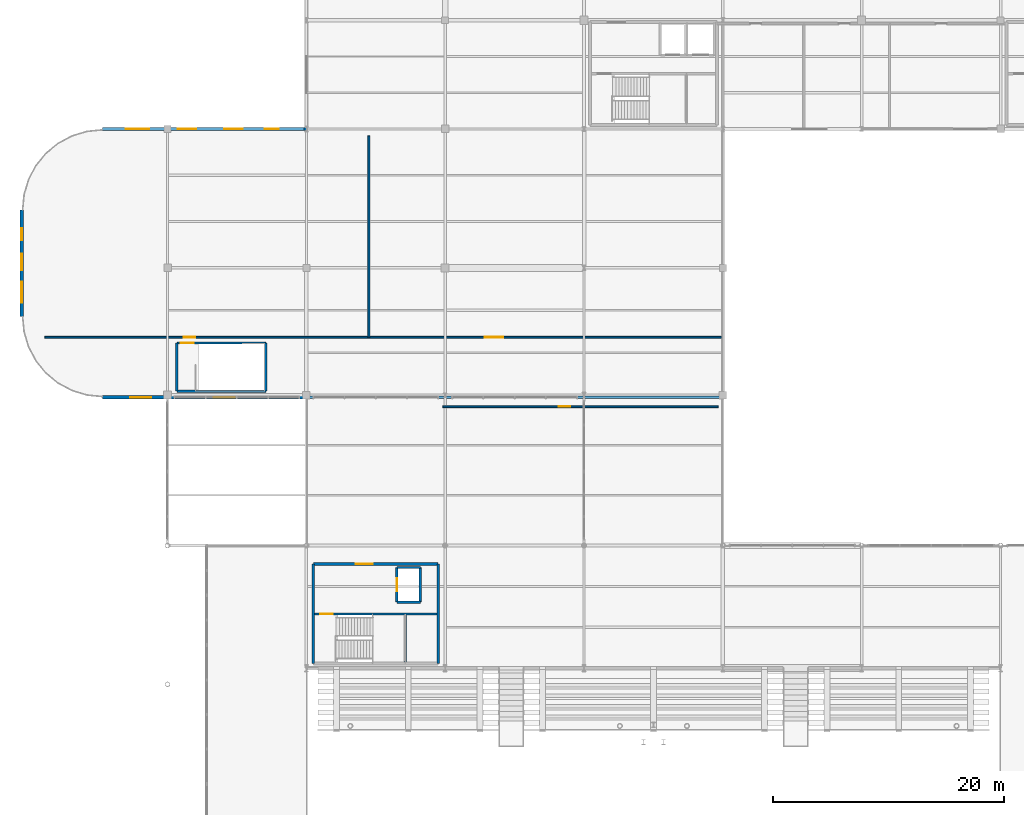
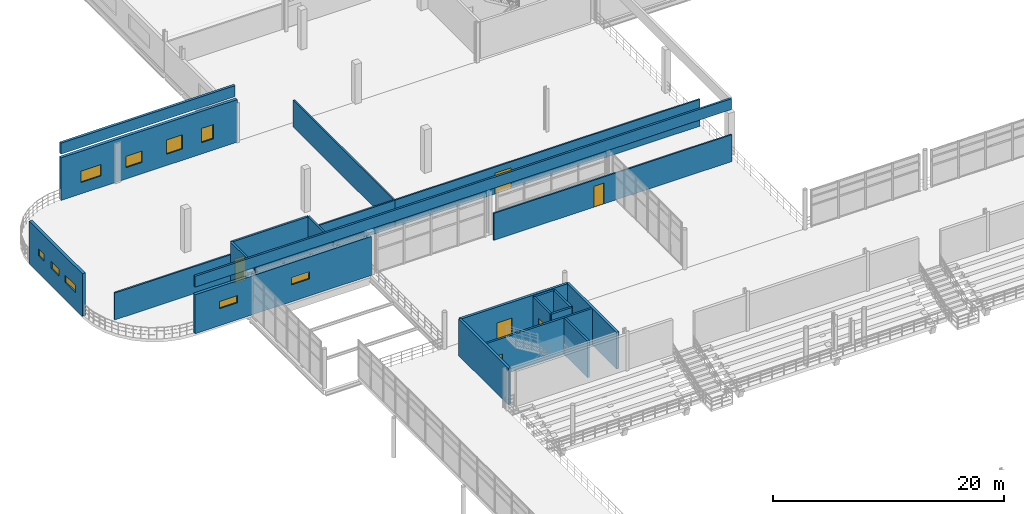
# One storey, part 66 of 89: 22 walls, 9 windows, 7 doors, 16 openings.
"""IFC4 building model written with IfcOpenShell, lengths in metres."""

from ifc_helpers import new_model, si_unit, direction, frame, frame_2d, origin, place, context, subcontext, project, spatial, rectangle, extrude, material, layer, layer_set, type_object, element, fill, save


model = new_model("IFC4")

# Units and contexts
model_context = context("Model", 3, precision=1e-05, world=origin(), true_north=direction((0.0, 1.0)))
body_context = subcontext(model_context, "Body", "Model", "MODEL_VIEW")
ifc_project = project(units=[si_unit("LENGTHUNIT", "METRE"), si_unit("AREAUNIT", "SQUARE_METRE"), si_unit("VOLUMEUNIT", "CUBIC_METRE"), si_unit("PLANEANGLEUNIT", "RADIAN"), si_unit("MASSUNIT", "GRAM", prefix="KILO"), si_unit("THERMODYNAMICTEMPERATUREUNIT", "KELVIN"), si_unit("POWERUNIT", "WATT")], contexts=[model_context])

# Site, building, storey
site_placement = place(None, origin())
site = spatial("IfcSite", under=ifc_project, at=site_placement, CompositionType="ELEMENT")
building_placement = place(site_placement, origin())
building = spatial("IfcBuilding", under=site, at=building_placement, Name="Solmara Park Aquatics Centre", CompositionType="ELEMENT")
storey_placement = place(building_placement, frame((0.0, 0.0, 5.39990234375)))
storey = spatial("IfcBuildingStorey", under=building, at=storey_placement, Name="L01", CompositionType="ELEMENT", Elevation=5.39990234375)

# Wall, opening, door
ifc_material_1 = material(Name="Concrete C40/50", Category="concrete")
ifc_layer_1 = layer(ifc_material_1, 0.25, Name="Concrete C40/50")
ifc_layer_set_1 = layer_set([ifc_layer_1], Name="Concrete C40/50")
wall_type_1 = type_object("IfcWallType", Name="ARC-WL-CORE250", PredefinedType="SHEAR", material=ifc_layer_set_1)
wall_1_placement = place(storey_placement, frame((25.199951171875, 71.0, 0.0), z_axis=(0.0, 0.0, 1.0), x_axis=(1.0, 0.0, 0.0)))
wall_1 = element("IfcWall", 1, at=wall_1_placement, inside=storey, type_object=wall_type_1, Name="CORE-4 Core Wall N L01", PredefinedType="SHEAR", context=body_context, shape_type="SweptSolid", body=[
    extrude(rectangle(XDim=10.800048828125, YDim=0.25, at=frame_2d((5.39990234375, 0.0))), origin(), (0.0, 0.0, 1.0), 3.880126953125),
])
opening_1_placement = place(wall_1_placement, frame((3.64990234375, 0.0, 0.0)))
opening_1 = element("IfcOpeningElement", 2, at=opening_1_placement, cuts=wall_1, Name="Opening D-12", PredefinedType="OPENING", context=body_context, shape_type="SweptSolid", body=[
    extrude(rectangle(XDim=1.5, YDim=2.199951171875, at=frame_2d((0.75, 1.10009765625))), frame((0.0, 0.135009765625, 0.0), z_axis=(0.0, -1.0, 0.0), x_axis=(1.0, 0.0, 0.0)), (0.0, 0.0, 1.0), 0.27001953125),
])
ifc_material_2 = material(Name="Moisture-Resistant HPL & Hardwood", Category="wood")
door_type_1 = type_object("IfcDoorType", Name="ARC-DR-FD150x220", OperationType="DOUBLE_DOOR_SINGLE_SWING", PredefinedType="DOOR", material=ifc_material_2)
door_1_placement = place(opening_1_placement, origin())
door_1 = element("IfcDoor", 3, at=door_1_placement, inside=storey, type_object=door_type_1, Name="CORE-4 Lobby Entry Fire Door L01", OperationType="DOUBLE_DOOR_SINGLE_SWING", OverallHeight=2.199951171875, OverallWidth=1.5, PredefinedType="DOOR", context=body_context, shape_type="SweptSolid", body=[
    extrude(rectangle(XDim=1.5, YDim=2.199951171875, at=frame_2d((0.75, 1.10009765625))), frame((0.0, 0.02490234375, 0.0), z_axis=(0.0, -1.0, 0.0), x_axis=(1.0, 0.0, 0.0)), (0.0, 0.0, 1.0), 0.050048828125),
])
fill(opening_1, door_1)

# Walls
for number, where, z_axis, x_axis, name in (
    (4, (25.199951171875, 62.39990234375, 0.0), (0.0, 0.0, 1.0), (0.0, 1.0, 0.0), "CORE-4 Core Wall W L01"),
    (5, (36.0, 62.39990234375, 0.0), (0.0, 0.0, 1.0), (0.0, 1.0, 0.0), "CORE-4 Core Wall E L01"),
):
    element("IfcWall", number, at=place(storey_placement, frame(where, z_axis=z_axis, x_axis=x_axis)), inside=storey, type_object=wall_type_1, Name=name, PredefinedType="SHEAR", context=body_context, shape_type="SweptSolid", body=[
        extrude(rectangle(XDim=8.60009765625, YDim=0.25, at=frame_2d((4.300048828125, 0.0))), origin(), (0.0, 0.0, 1.0), 3.880126953125),
    ])

# Wall, openings, windows
ifc_material_3 = material(Name="Insulated Limestone Render Wall", Category="masonry")
ifc_layer_2 = layer(ifc_material_3, 0.300048828125, Name="Insulated Limestone Render Wall")
ifc_layer_set_2 = layer_set([ifc_layer_2], Name="Insulated Limestone Render Wall")
wall_type_2 = type_object("IfcWallType", Name="ARC-WL-EXT300", PredefinedType="SOLIDWALL", material=ifc_layer_set_2)
wall_2_placement = place(storey_placement, frame((7.0, 85.39990234375, 0.0), z_axis=(0.0, 0.0, 1.0), x_axis=(1.0, 0.0, 0.0)))
wall_2 = element("IfcWall", 6, at=wall_2_placement, inside=storey, type_object=wall_type_2, Name="Exterior Facade Wall EW-L01-012", PredefinedType="SOLIDWALL", context=body_context, shape_type="SweptSolid", body=[
    extrude(rectangle(XDim=17.60009765625, YDim=0.300048828125, at=frame_2d((8.800048828125, 0.0))), origin(), (0.0, 0.0, 1.0), 4.110107421875),
])
opening_2_placement = place(wall_2_placement, frame((2.39990234375, 0.0, 1.800048828125)))
opening_2 = element("IfcOpeningElement", 7, at=opening_2_placement, cuts=wall_2, Name="Opening W-30", PredefinedType="OPENING", context=body_context, shape_type="SweptSolid", body=[
    extrude(rectangle(XDim=1.800048828125, YDim=0.75, at=frame_2d((0.89990234375, 0.375))), frame((0.0, 0.159912109375, 0.0), z_axis=(0.0, -1.0, 0.0), x_axis=(1.0, 0.0, 0.0)), (0.0, 0.0, 1.0), 0.320068359375),
])
opening_3_placement = place(wall_2_placement, frame((9.60009765625, 0.0, 1.800048828125)))
opening_3 = element("IfcOpeningElement", 8, at=opening_3_placement, cuts=wall_2, Name="Opening W-30", PredefinedType="OPENING", context=body_context, shape_type="SweptSolid", body=[
    extrude(rectangle(XDim=1.800048828125, YDim=0.75, at=frame_2d((0.89990234375, 0.375))), frame((0.0, 0.159912109375, 0.0), z_axis=(0.0, -1.0, 0.0), x_axis=(1.0, 0.0, 0.0)), (0.0, 0.0, 1.0), 0.320068359375),
])
ifc_material_4 = material(Name="Thermally Broken Aluminium and Low-E Double Glazing", Category="aluminium")
window_type_1 = type_object("IfcWindowType", Name="ARC-WN-180x075", PartitioningType="SINGLE_PANEL", PredefinedType="WINDOW", material=ifc_material_4)
window_1_placement = place(opening_2_placement, frame((1.800048828125, 0.0, 0.0), z_axis=(0.0, 0.0, 1.0), x_axis=(-1.0, 0.0, 0.0)))
window_1 = element("IfcWindow", 9, at=window_1_placement, inside=storey, type_object=window_type_1, Name="Ribbon Window WN-026", OverallHeight=0.75, OverallWidth=1.800048828125, PartitioningType="SINGLE_PANEL", PredefinedType="WINDOW", context=body_context, shape_type="SweptSolid", body=[
    extrude(rectangle(XDim=1.800048828125, YDim=0.75, at=frame_2d((0.89990234375, 0.375))), frame((0.0, 0.030029296875, 0.0), z_axis=(0.0, -1.0, 0.0), x_axis=(1.0, 0.0, 0.0)), (0.0, 0.0, 1.0), 0.06005859375),
])
fill(opening_2, window_1)
window_2_placement = place(opening_3_placement, frame((1.800048828125, 0.0, 0.0), z_axis=(0.0, 0.0, 1.0), x_axis=(-1.0, 0.0, 0.0)))
window_2 = element("IfcWindow", 10, at=window_2_placement, inside=storey, type_object=window_type_1, Name="Ribbon Window WN-027", OverallHeight=0.75, OverallWidth=1.800048828125, PartitioningType="SINGLE_PANEL", PredefinedType="WINDOW", context=body_context, shape_type="SweptSolid", body=[
    extrude(rectangle(XDim=1.800048828125, YDim=0.75, at=frame_2d((0.89990234375, 0.375))), frame((0.0, 0.030029296875, 0.0), z_axis=(0.0, -1.0, 0.0), x_axis=(1.0, 0.0, 0.0)), (0.0, 0.0, 1.0), 0.06005859375),
])
fill(opening_3, window_2)

wall_3_placement = place(storey_placement, frame((0.0, 92.39990234375, 0.0), z_axis=(0.0, 0.0, 1.0), x_axis=(0.0, 1.0, 0.0)))
wall_3 = element("IfcWall", 11, at=wall_3_placement, inside=storey, type_object=wall_type_2, Name="Exterior Facade Wall EW-L01-014", PredefinedType="SOLIDWALL", context=body_context, shape_type="SweptSolid", body=[
    extrude(rectangle(XDim=9.2001953125, YDim=0.300048828125, at=frame_2d((4.60009765625, 0.0))), origin(), (0.0, 0.0, 1.0), 4.5),
])
opening_4_placement = place(wall_3_placement, frame((1.199951171875, 0.0, 1.800048828125)))
opening_4 = element("IfcOpeningElement", 12, at=opening_4_placement, cuts=wall_3, Name="Opening W-30", PredefinedType="OPENING", context=body_context, shape_type="SweptSolid", body=[
    extrude(rectangle(XDim=1.800048828125, YDim=0.75, at=frame_2d((0.89990234375, 0.375))), frame((0.0, 0.159912109375, 0.0), z_axis=(0.0, -1.0, 0.0), x_axis=(1.0, 0.0, 0.0)), (0.0, 0.0, 1.0), 0.320068359375),
])
opening_5_placement = place(wall_3_placement, frame((4.0, 0.0, 1.800048828125)))
opening_5 = element("IfcOpeningElement", 13, at=opening_5_placement, cuts=wall_3, Name="Opening W-31", PredefinedType="OPENING", context=body_context, shape_type="SweptSolid", body=[
    extrude(rectangle(XDim=1.39990234375, YDim=0.75, at=frame_2d((0.699951171875, 0.375))), frame((0.0, 0.159912109375, 0.0), z_axis=(0.0, -1.0, 0.0), x_axis=(1.0, 0.0, 0.0)), (0.0, 0.0, 1.0), 0.320068359375),
])
opening_6_placement = place(wall_3_placement, frame((6.60009765625, 0.0, 1.800048828125)))
opening_6 = element("IfcOpeningElement", 14, at=opening_6_placement, cuts=wall_3, Name="Opening W-32", PredefinedType="OPENING", context=body_context, shape_type="SweptSolid", body=[
    extrude(rectangle(XDim=1.0, YDim=0.75, at=frame_2d((0.5, 0.375))), frame((0.0, 0.159912109375, 0.0), z_axis=(0.0, -1.0, 0.0), x_axis=(1.0, 0.0, 0.0)), (0.0, 0.0, 1.0), 0.320068359375),
])
window_type_2 = type_object("IfcWindowType", Name="ARC-WN-100x075", PartitioningType="SINGLE_PANEL", PredefinedType="WINDOW", material=ifc_material_4)
window_3_placement = place(opening_6_placement, origin())
window_3 = element("IfcWindow", 15, at=window_3_placement, inside=storey, type_object=window_type_2, Name="Ribbon Window WN-032", OverallHeight=0.75, OverallWidth=1.0, PartitioningType="SINGLE_PANEL", PredefinedType="WINDOW", context=body_context, shape_type="SweptSolid", body=[
    extrude(rectangle(XDim=1.0, YDim=0.75, at=frame_2d((0.5, 0.375))), frame((0.0, 0.030029296875, 0.0), z_axis=(0.0, -1.0, 0.0), x_axis=(1.0, 0.0, 0.0)), (0.0, 0.0, 1.0), 0.06005859375),
])
fill(opening_6, window_3)
window_type_3 = type_object("IfcWindowType", Name="ARC-WN-140x075", PartitioningType="SINGLE_PANEL", PredefinedType="WINDOW", material=ifc_material_4)
window_4_placement = place(opening_5_placement, origin())
window_4 = element("IfcWindow", 16, at=window_4_placement, inside=storey, type_object=window_type_3, Name="Ribbon Window WN-031", OverallHeight=0.75, OverallWidth=1.39990234375, PartitioningType="SINGLE_PANEL", PredefinedType="WINDOW", context=body_context, shape_type="SweptSolid", body=[
    extrude(rectangle(XDim=1.39990234375, YDim=0.75, at=frame_2d((0.699951171875, 0.375))), frame((0.0, 0.030029296875, 0.0), z_axis=(0.0, -1.0, 0.0), x_axis=(1.0, 0.0, 0.0)), (0.0, 0.0, 1.0), 0.06005859375),
])
fill(opening_5, window_4)
window_5_placement = place(opening_4_placement, origin())
window_5 = element("IfcWindow", 17, at=window_5_placement, inside=storey, type_object=window_type_1, Name="Ribbon Window WN-030", OverallHeight=0.75, OverallWidth=1.800048828125, PartitioningType="SINGLE_PANEL", PredefinedType="WINDOW", context=body_context, shape_type="SweptSolid", body=[
    extrude(rectangle(XDim=1.800048828125, YDim=0.75, at=frame_2d((0.89990234375, 0.375))), frame((0.0, 0.030029296875, 0.0), z_axis=(0.0, -1.0, 0.0), x_axis=(1.0, 0.0, 0.0)), (0.0, 0.0, 1.0), 0.06005859375),
])
fill(opening_4, window_5)

wall_4_placement = place(storey_placement, frame((7.0, 108.60009765625, 0.0), z_axis=(0.0, 0.0, 1.0), x_axis=(1.0, 0.0, 0.0)))
wall_4 = element("IfcWall", 18, at=wall_4_placement, inside=storey, type_object=wall_type_2, Name="Exterior Facade Wall EW-L01-016", PredefinedType="SOLIDWALL", context=body_context, shape_type="SweptSolid", body=[
    extrude(rectangle(XDim=17.60009765625, YDim=0.300048828125, at=frame_2d((8.800048828125, 0.0))), origin(), (0.0, 0.0, 1.0), 4.5),
])
opening_7_placement = place(wall_4_placement, frame((2.0, 0.0, 1.199951171875)))
opening_7 = element("IfcOpeningElement", 19, at=opening_7_placement, cuts=wall_4, Name="Opening W-07", PredefinedType="OPENING", context=body_context, shape_type="SweptSolid", body=[
    extrude(rectangle(XDim=2.0, YDim=1.199951171875, at=frame_2d((1.0, 0.60009765625))), frame((0.0, 0.159912109375, 0.0), z_axis=(0.0, -1.0, 0.0), x_axis=(1.0, 0.0, 0.0)), (0.0, 0.0, 1.0), 0.320068359375),
])
opening_8_placement = place(wall_4_placement, frame((6.5, 0.0, 1.199951171875)))
opening_8 = element("IfcOpeningElement", 20, at=opening_8_placement, cuts=wall_4, Name="Opening W-08", PredefinedType="OPENING", context=body_context, shape_type="SweptSolid", body=[
    extrude(rectangle(XDim=1.60009765625, YDim=1.199951171875, at=frame_2d((0.800048828125, 0.60009765625))), frame((0.0, 0.159912109375, 0.0), z_axis=(0.0, -1.0, 0.0), x_axis=(1.0, 0.0, 0.0)), (0.0, 0.0, 1.0), 0.320068359375),
])
opening_9_placement = place(wall_4_placement, frame((10.5, 0.0, 1.199951171875)))
opening_9 = element("IfcOpeningElement", 21, at=opening_9_placement, cuts=wall_4, Name="Opening W-18", PredefinedType="OPENING", context=body_context, shape_type="SweptSolid", body=[
    extrude(rectangle(XDim=1.60009765625, YDim=1.5, at=frame_2d((0.800048828125, 0.75))), frame((0.0, 0.159912109375, 0.0), z_axis=(0.0, -1.0, 0.0), x_axis=(1.0, 0.0, 0.0)), (0.0, 0.0, 1.0), 0.320068359375),
])
opening_10_placement = place(wall_4_placement, frame((14.0, 0.0, 1.199951171875)))
opening_10 = element("IfcOpeningElement", 22, at=opening_10_placement, cuts=wall_4, Name="Opening W-19", PredefinedType="OPENING", context=body_context, shape_type="SweptSolid", body=[
    extrude(rectangle(XDim=1.199951171875, YDim=1.5, at=frame_2d((0.60009765625, 0.75))), frame((0.0, 0.159912109375, 0.0), z_axis=(0.0, -1.0, 0.0), x_axis=(1.0, 0.0, 0.0)), (0.0, 0.0, 1.0), 0.320068359375),
])
window_type_4 = type_object("IfcWindowType", Name="ARC-WN-120x150", PartitioningType="SINGLE_PANEL", PredefinedType="WINDOW", material=ifc_material_4)
window_6_placement = place(opening_10_placement, origin())
window_6 = element("IfcWindow", 23, at=window_6_placement, inside=storey, type_object=window_type_4, Name="Ribbon Window WN-040", OverallHeight=1.5, OverallWidth=1.199951171875, PartitioningType="SINGLE_PANEL", PredefinedType="WINDOW", context=body_context, shape_type="SweptSolid", body=[
    extrude(rectangle(XDim=1.199951171875, YDim=1.5, at=frame_2d((0.60009765625, 0.75))), frame((0.0, 0.030029296875, 0.0), z_axis=(0.0, -1.0, 0.0), x_axis=(1.0, 0.0, 0.0)), (0.0, 0.0, 1.0), 0.06005859375),
])
fill(opening_10, window_6)
window_type_5 = type_object("IfcWindowType", Name="ARC-WN-160x120", PartitioningType="SINGLE_PANEL", PredefinedType="WINDOW", material=ifc_material_4)
window_7_placement = place(opening_8_placement, origin())
window_7 = element("IfcWindow", 24, at=window_7_placement, inside=storey, type_object=window_type_5, Name="Ribbon Window WN-038", OverallHeight=1.199951171875, OverallWidth=1.60009765625, PartitioningType="SINGLE_PANEL", PredefinedType="WINDOW", context=body_context, shape_type="SweptSolid", body=[
    extrude(rectangle(XDim=1.60009765625, YDim=1.199951171875, at=frame_2d((0.800048828125, 0.60009765625))), frame((0.0, 0.030029296875, 0.0), z_axis=(0.0, -1.0, 0.0), x_axis=(1.0, 0.0, 0.0)), (0.0, 0.0, 1.0), 0.06005859375),
])
fill(opening_8, window_7)
window_type_6 = type_object("IfcWindowType", Name="ARC-WN-160x150", PartitioningType="SINGLE_PANEL", PredefinedType="WINDOW", material=ifc_material_4)
window_8_placement = place(opening_9_placement, origin())
window_8 = element("IfcWindow", 25, at=window_8_placement, inside=storey, type_object=window_type_6, Name="Ribbon Window WN-039", OverallHeight=1.5, OverallWidth=1.60009765625, PartitioningType="SINGLE_PANEL", PredefinedType="WINDOW", context=body_context, shape_type="SweptSolid", body=[
    extrude(rectangle(XDim=1.60009765625, YDim=1.5, at=frame_2d((0.800048828125, 0.75))), frame((0.0, 0.030029296875, 0.0), z_axis=(0.0, -1.0, 0.0), x_axis=(1.0, 0.0, 0.0)), (0.0, 0.0, 1.0), 0.06005859375),
])
fill(opening_9, window_8)
window_type_7 = type_object("IfcWindowType", Name="ARC-WN-200x120", PartitioningType="DOUBLE_PANEL_VERTICAL", PredefinedType="WINDOW", material=ifc_material_4)
window_9_placement = place(opening_7_placement, origin())
window_9 = element("IfcWindow", 26, at=window_9_placement, inside=storey, type_object=window_type_7, Name="Ribbon Window WN-037", OverallHeight=1.199951171875, OverallWidth=2.0, PartitioningType="DOUBLE_PANEL_VERTICAL", PredefinedType="WINDOW", context=body_context, shape_type="SweptSolid", body=[
    extrude(rectangle(XDim=2.0, YDim=1.199951171875, at=frame_2d((1.0, 0.60009765625))), frame((0.0, 0.030029296875, 0.0), z_axis=(0.0, -1.0, 0.0), x_axis=(1.0, 0.0, 0.0)), (0.0, 0.0, 1.0), 0.06005859375),
])
fill(opening_7, window_9)

# Wall, opening, door
ifc_material_5 = material(Name="Concrete C25/30 Autoclaved Aerated Fire Blockwork", Category="masonry")
ifc_layer_3 = layer(ifc_material_5, 0.199951171875, Name="Concrete C25/30 Autoclaved Aerated Fire Blockwork")
ifc_layer_set_3 = layer_set([ifc_layer_3], Name="Concrete C25/30 Autoclaved Aerated Fire Blockwork")
wall_type_3 = type_object("IfcWallType", Name="ARC-WL-FIRE200", PredefinedType="SOLIDWALL", material=ifc_layer_set_3)
wall_5_placement = place(storey_placement, frame((32.419921875, 67.699951171875, 0.0), z_axis=(0.0, 0.0, 1.0), x_axis=(0.0, 1.0, 0.0)))
wall_5 = element("IfcWall", 27, at=wall_5_placement, inside=storey, type_object=wall_type_3, Name="CORE-4 Lift Shaft Front Wall L01", PredefinedType="SOLIDWALL", context=body_context, shape_type="SweptSolid", body=[
    extrude(rectangle(XDim=3.0, YDim=0.199951171875, at=frame_2d((1.5, 0.0))), origin(), (0.0, 0.0, 1.0), 3.880126953125),
])
opening_11_placement = place(wall_5_placement, frame((0.949951171875, 0.0, 0.0)))
opening_11 = element("IfcOpeningElement", 28, at=opening_11_placement, cuts=wall_5, Name="Opening D-09", PredefinedType="OPENING", context=body_context, shape_type="SweptSolid", body=[
    extrude(rectangle(XDim=1.10009765625, YDim=2.199951171875, at=frame_2d((0.550048828125, 1.10009765625))), frame((0.0, 0.10986328125, 0.0), z_axis=(0.0, -1.0, 0.0), x_axis=(1.0, 0.0, 0.0)), (0.0, 0.0, 1.0), 0.219970703125),
])
ifc_material_6 = material(Name="Stainless Steel", Category="steel")
door_type_2 = type_object("IfcDoorType", Name="ARC-DR-LD110x220", OperationType="DOUBLE_DOOR_SLIDING", PredefinedType="DOOR", material=ifc_material_6)
door_2_placement = place(opening_11_placement, origin())
door_2 = element("IfcDoor", 29, at=door_2_placement, inside=storey, type_object=door_type_2, Name="LF-06 Lift Landing Door L01", OperationType="DOUBLE_DOOR_SLIDING", OverallHeight=2.199951171875, OverallWidth=1.10009765625, PredefinedType="DOOR", context=body_context, shape_type="SweptSolid", body=[
    extrude(rectangle(XDim=1.10009765625, YDim=2.199951171875, at=frame_2d((0.550048828125, 1.10009765625))), frame((0.0, 0.02490234375, 0.0), z_axis=(0.0, -1.0, 0.0), x_axis=(1.0, 0.0, 0.0)), (0.0, 0.0, 1.0), 0.050048828125),
])
fill(opening_11, door_2)

# Walls
wall_6_placement = place(storey_placement, frame((34.449951171875, 67.699951171875, 0.0), z_axis=(0.0, 0.0, 1.0), x_axis=(0.0, 1.0, 0.0)))
element("IfcWall", 30, at=wall_6_placement, inside=storey, type_object=wall_type_3, Name="LF-06 Lift Shaft East Wall L01", PredefinedType="SOLIDWALL", context=body_context, shape_type="SweptSolid", body=[
    extrude(rectangle(XDim=3.0, YDim=0.199951171875, at=frame_2d((1.5, 0.0))), origin(), (0.0, 0.0, 1.0), 3.880126953125),
])
for number, where, z_axis, x_axis, name in (
    (31, (32.419921875, 67.699951171875, 0.0), (0.0, 0.0, 1.0), (1.0, 0.0, 0.0), "LF-06 Lift Shaft South Wall L01"),
    (32, (32.419921875, 70.699951171875, 0.0), (0.0, 0.0, 1.0), (1.0, 0.0, 0.0), "LF-06 Lift Shaft North Wall L01"),
):
    element("IfcWall", number, at=place(storey_placement, frame(where, z_axis=z_axis, x_axis=x_axis)), inside=storey, type_object=wall_type_3, Name=name, PredefinedType="SOLIDWALL", context=body_context, shape_type="SweptSolid", body=[
        extrude(rectangle(XDim=2.030029296875, YDim=0.199951171875, at=frame_2d((1.01513671875, 0.0))), origin(), (0.0, 0.0, 1.0), 3.880126953125),
    ])

# Wall, opening, door
ifc_material_7 = material(Name="Cement-Rendered Masonry Partition", Category="masonry")
ifc_layer_4 = layer(ifc_material_7, 0.14990234375, Name="Cement-Rendered Masonry Partition")
ifc_layer_set_4 = layer_set([ifc_layer_4], Name="Cement-Rendered Masonry Partition")
wall_type_4 = type_object("IfcWallType", Name="ARC-WL-MAS150", PredefinedType="PARTITIONING", material=ifc_layer_set_4)
wall_7_placement = place(storey_placement, frame((30.010009765625, 90.60009765625, 0.0), z_axis=(0.0, 0.0, 1.0), x_axis=(1.0, 0.0, 0.0)))
wall_7 = element("IfcWall", 33, at=wall_7_placement, inside=storey, type_object=wall_type_4, Name="Interior Partition IW-L01-0093 (L01-CLB-01)", PredefinedType="PARTITIONING", context=body_context, shape_type="SweptSolid", body=[
    extrude(rectangle(XDim=30.465087890625, YDim=0.14990234375, at=frame_2d((15.232421875, 0.0))), origin(), (0.0, 0.0, 1.0), 2.85009765625),
])
opening_12_placement = place(wall_7_placement, frame((9.989990234375, 0.0, 0.0)))
opening_12 = element("IfcOpeningElement", 34, at=opening_12_placement, cuts=wall_7, Name="Opening D-19", PredefinedType="OPENING", context=body_context, shape_type="SweptSolid", body=[
    extrude(rectangle(XDim=1.60009765625, YDim=2.199951171875, at=frame_2d((0.800048828125, 1.10009765625))), frame((0.0, 0.0849609375, 0.0), z_axis=(0.0, -1.0, 0.0), x_axis=(1.0, 0.0, 0.0)), (0.0, 0.0, 1.0), 0.169921875),
])
door_type_3 = type_object("IfcDoorType", Name="ARC-DR-DBL160x220", OperationType="DOUBLE_DOOR_SINGLE_SWING", PredefinedType="DOOR", material=ifc_material_2)
door_3_placement = place(opening_12_placement, origin())
door_3 = element("IfcDoor", 35, at=door_3_placement, inside=storey, type_object=door_type_3, Name="National Aquatics Club Lounge and Team Briefing Hall Door", OperationType="DOUBLE_DOOR_SINGLE_SWING", OverallHeight=2.199951171875, OverallWidth=1.60009765625, PredefinedType="DOOR", context=body_context, shape_type="SweptSolid", body=[
    extrude(rectangle(XDim=1.60009765625, YDim=2.199951171875, at=frame_2d((0.800048828125, 1.10009765625))), frame((0.0, 0.02490234375, 0.0), z_axis=(0.0, -1.0, 0.0), x_axis=(1.0, 0.0, 0.0)), (0.0, 0.0, 1.0), 0.050048828125),
])
fill(opening_12, door_3)

wall_8_placement = place(storey_placement, frame((36.39990234375, 84.60009765625, 0.0), z_axis=(0.0, 0.0, 1.0), x_axis=(1.0, 0.0, 0.0)))
wall_8 = element("IfcWall", 36, at=wall_8_placement, inside=storey, type_object=wall_type_4, Name="Interior Partition IW-L01-0094 (L01-CLB-02)", PredefinedType="PARTITIONING", context=body_context, shape_type="SweptSolid", body=[
    extrude(rectangle(XDim=23.800048828125, YDim=0.14990234375, at=frame_2d((11.89990234375, 0.0))), origin(), (0.0, 0.0, 1.0), 2.85009765625),
])
opening_13_placement = place(wall_8_placement, frame((10.0, 0.0, 0.0)))
opening_13 = element("IfcOpeningElement", 37, at=opening_13_placement, cuts=wall_8, Name="Opening D-16", PredefinedType="OPENING", context=body_context, shape_type="SweptSolid", body=[
    extrude(rectangle(XDim=1.0, YDim=2.199951171875, at=frame_2d((0.5, 1.10009765625))), frame((0.0, 0.0849609375, 0.0), z_axis=(0.0, -1.0, 0.0), x_axis=(1.0, 0.0, 0.0)), (0.0, 0.0, 1.0), 0.169921875),
])
door_type_4 = type_object("IfcDoorType", Name="ARC-DR-SGL100x220", OperationType="NOTDEFINED", PredefinedType="DOOR", material=ifc_material_2)
door_4_placement = place(opening_13_placement, origin())
door_4 = element("IfcDoor", 38, at=door_4_placement, inside=storey, type_object=door_type_4, Name="Technical Officials Briefing and Timekeeping Room Door", OperationType="SINGLE_SWING_RIGHT", OverallHeight=2.199951171875, OverallWidth=1.0, PredefinedType="DOOR", context=body_context, shape_type="SweptSolid", body=[
    extrude(rectangle(XDim=1.0, YDim=2.199951171875, at=frame_2d((0.5, 1.10009765625))), frame((0.0, 0.02490234375, 0.0), z_axis=(0.0, -1.0, 0.0), x_axis=(1.0, 0.0, 0.0)), (0.0, 0.0, 1.0), 0.050048828125),
])
fill(opening_13, door_4)

# Walls
ifc_material_8 = material(Name="Precast Concrete C40/50", Category="concrete")
ifc_layer_5 = layer(ifc_material_8, 0.199951171875, Name="Precast Concrete C40/50")
ifc_layer_set_5 = layer_set([ifc_layer_5], Name="Precast Concrete C40/50")
wall_type_5 = type_object("IfcWallType", Name="ARC-WL-PAR200", PredefinedType="PARAPET", material=ifc_layer_set_5)
wall_9_placement = place(storey_placement, frame((7.0, 85.39990234375, 4.880126953125), z_axis=(0.0, 0.0, 1.0), x_axis=(1.0, 0.0, 0.0)))
element("IfcWall", 39, at=wall_9_placement, inside=storey, type_object=wall_type_5, Name="Roof Maintenance Parapet 06", PredefinedType="PARAPET", context=body_context, shape_type="SweptSolid", body=[
    extrude(rectangle(XDim=53.60009765625, YDim=0.199951171875, at=frame_2d((26.800048828125, 0.0))), origin(), (0.0, 0.0, 1.0), 1.14990234375),
])
ifc_layer_6 = layer(ifc_material_8, 0.25, Name="Precast Concrete C40/50")
ifc_layer_set_6 = layer_set([ifc_layer_6], Name="Precast Concrete C40/50")
wall_type_6 = type_object("IfcWallType", Name="ARC-WL-PAR250", PredefinedType="PARAPET", material=ifc_layer_set_6)
wall_10_placement = place(storey_placement, frame((7.0, 108.60009765625, 4.880126953125), z_axis=(0.0, 0.0, 1.0), x_axis=(1.0, 0.0, 0.0)))
element("IfcWall", 40, at=wall_10_placement, inside=storey, type_object=wall_type_6, Name="Roof Maintenance Parapet 04", PredefinedType="PARAPET", context=body_context, shape_type="SweptSolid", body=[
    extrude(rectangle(XDim=17.39990234375, YDim=0.25, at=frame_2d((8.699951171875, 0.0))), origin(), (0.0, 0.0, 1.0), 1.14990234375),
])

# Wall, opening, door
ifc_material_9 = material(Name="Waterproof Tile-Faced Wet-Area Plumbing Wall", Category="concrete")
ifc_layer_7 = layer(ifc_material_9, 0.159912109375, Name="Waterproof Tile-Faced Wet-Area Plumbing Wall")
ifc_layer_set_7 = layer_set([ifc_layer_7], Name="Waterproof Tile-Faced Wet-Area Plumbing Wall")
wall_type_7 = type_object("IfcWallType", Name="ARC-WL-WET160", PredefinedType="PLUMBINGWALL", material=ifc_layer_set_7)
wall_11_placement = place(storey_placement, frame((2.0, 90.60009765625, 0.0), z_axis=(0.0, 0.0, 1.0), x_axis=(1.0, 0.0, 0.0)))
wall_11 = element("IfcWall", 41, at=wall_11_placement, inside=storey, type_object=wall_type_7, Name="Interior Partition IW-L01-0091 (L01-CHG-CLB1)", PredefinedType="PLUMBINGWALL", context=body_context, shape_type="SweptSolid", body=[
    extrude(rectangle(XDim=28.0, YDim=0.159912109375, at=frame_2d((14.0, 0.0))), origin(), (0.0, 0.0, 1.0), 2.85009765625),
])
opening_14_placement = place(wall_11_placement, frame((12.0, 0.0, 0.0)))
opening_14 = element("IfcOpeningElement", 42, at=opening_14_placement, cuts=wall_11, Name="Opening D-16", PredefinedType="OPENING", context=body_context, shape_type="SweptSolid", body=[
    extrude(rectangle(XDim=1.0, YDim=2.199951171875, at=frame_2d((0.5, 1.10009765625))), frame((0.0, 0.08984375, 0.0), z_axis=(0.0, -1.0, 0.0), x_axis=(1.0, 0.0, 0.0)), (0.0, 0.0, 1.0), 0.179931640625),
])
door_5_placement = place(opening_14_placement, origin())
door_5 = element("IfcDoor", 43, at=door_5_placement, inside=storey, type_object=door_type_4, Name="Swim Club Members Changing Village and Lockers Door", OperationType="SINGLE_SWING_LEFT", OverallHeight=2.199951171875, OverallWidth=1.0, PredefinedType="DOOR", context=body_context, shape_type="SweptSolid", body=[
    extrude(rectangle(XDim=1.0, YDim=2.199951171875, at=frame_2d((0.5, 1.10009765625))), frame((0.0, 0.02490234375, 0.0), z_axis=(0.0, -1.0, 0.0), x_axis=(1.0, 0.0, 0.0)), (0.0, 0.0, 1.0), 0.050048828125),
])
fill(opening_14, door_5)

# Wall
wall_12_placement = place(storey_placement, frame((30.0, 90.60009765625, 0.0), z_axis=(0.0, 0.0, 1.0), x_axis=(0.0, 1.0, 0.0)))
element("IfcWall", 44, at=wall_12_placement, inside=storey, type_object=wall_type_7, Name="Interior Partition IW-L01-0092 (L01-CHG-CLB1)", PredefinedType="PLUMBINGWALL", context=body_context, shape_type="SweptSolid", body=[
    extrude(rectangle(XDim=17.39990234375, YDim=0.159912109375, at=frame_2d((8.699951171875, 0.0))), origin(), (0.0, 0.0, 1.0), 2.85009765625),
])

# Wall, opening, door
ifc_material_10 = material(Name="Concrete C35/45", Category="concrete")
ifc_layer_8 = layer(ifc_material_10, 0.199951171875, Name="Concrete C35/45")
ifc_layer_set_8 = layer_set([ifc_layer_8], Name="Concrete C35/45")
wall_type_8 = type_object("IfcWallType", Name="STR-WL-STAIR200", PredefinedType="SHEAR", material=ifc_layer_set_8)
wall_13_placement = place(storey_placement, frame((25.320068359375, 66.675048828125, 0.0), z_axis=(0.0, 0.0, 1.0), x_axis=(1.0, 0.0, 0.0)))
wall_13 = element("IfcWall", 45, at=wall_13_placement, inside=storey, type_object=wall_type_8, Name="CORE-4 Stairwell Compartment Wall L01", PredefinedType="SHEAR", context=body_context, shape_type="SweptSolid", body=[
    extrude(rectangle(XDim=10.559814453125, YDim=0.199951171875, at=frame_2d((5.27978515625, 0.0))), origin(), (0.0, 0.0, 1.0), 3.880126953125),
])
opening_15_placement = place(wall_13_placement, frame((0.47998046875, 0.0, 0.0)))
opening_15 = element("IfcOpeningElement", 46, at=opening_15_placement, cuts=wall_13, Name="Opening D-11", PredefinedType="OPENING", context=body_context, shape_type="SweptSolid", body=[
    extrude(rectangle(XDim=1.10009765625, YDim=2.199951171875, at=frame_2d((0.550048828125, 1.10009765625))), frame((0.0, 0.10986328125, 0.0), z_axis=(0.0, -1.0, 0.0), x_axis=(1.0, 0.0, 0.0)), (0.0, 0.0, 1.0), 0.219970703125),
])
door_type_5 = type_object("IfcDoorType", Name="ARC-DR-FD110x220", OperationType="NOTDEFINED", PredefinedType="DOOR", material=ifc_material_2)
door_6_placement = place(opening_15_placement, origin())
door_6 = element("IfcDoor", 47, at=door_6_placement, inside=storey, type_object=door_type_5, Name="ST-04 Fire Door L01", OperationType="SINGLE_SWING_LEFT", OverallHeight=2.199951171875, OverallWidth=1.10009765625, PredefinedType="DOOR", context=body_context, shape_type="SweptSolid", body=[
    extrude(rectangle(XDim=1.10009765625, YDim=2.199951171875, at=frame_2d((0.550048828125, 1.10009765625))), frame((0.0, 0.02490234375, 0.0), z_axis=(0.0, -1.0, 0.0), x_axis=(1.0, 0.0, 0.0)), (0.0, 0.0, 1.0), 0.050048828125),
])
fill(opening_15, door_6)

# Walls
wall_14_placement = place(storey_placement, frame((33.159912109375, 62.52001953125, 0.0), z_axis=(0.0, 0.0, 1.0), x_axis=(0.0, 1.0, 0.0)))
element("IfcWall", 48, at=wall_14_placement, inside=storey, type_object=wall_type_8, Name="CORE-4 Stairwell East End Wall L01", PredefinedType="SHEAR", context=body_context, shape_type="SweptSolid", body=[
    extrude(rectangle(XDim=4.054931640625, YDim=0.199951171875, at=frame_2d((2.02734375, 0.0))), origin(), (0.0, 0.0, 1.0), 3.880126953125),
])
wall_15_placement = place(storey_placement, frame((13.39990234375, 85.93994140625, 0.0), z_axis=(0.0, 0.0, 1.0), x_axis=(1.0, 0.0, 0.0)))
element("IfcWall", 49, at=wall_15_placement, inside=storey, type_object=wall_type_8, Name="ST08 Escape Stair Wall S L01", PredefinedType="SHEAR", context=body_context, shape_type="SweptSolid", body=[
    extrude(rectangle(XDim=7.7001953125, YDim=0.199951171875, at=frame_2d((3.85009765625, 0.0))), origin(), (0.0, 0.0, 1.0), 4.56005859375),
])

# Wall, opening, door
wall_16_placement = place(storey_placement, frame((13.39990234375, 90.10009765625, 0.0), z_axis=(0.0, 0.0, 1.0), x_axis=(1.0, 0.0, 0.0)))
wall_16 = element("IfcWall", 50, at=wall_16_placement, inside=storey, type_object=wall_type_8, Name="ST08 Escape Stair Wall N L01", PredefinedType="SHEAR", context=body_context, shape_type="SweptSolid", body=[
    extrude(rectangle(XDim=7.7001953125, YDim=0.199951171875, at=frame_2d((3.85009765625, 0.0))), origin(), (0.0, 0.0, 1.0), 4.56005859375),
])
opening_16_placement = place(wall_16_placement, frame((0.35009765625, 0.0, 0.0)))
opening_16 = element("IfcOpeningElement", 51, at=opening_16_placement, cuts=wall_16, Name="Opening D-11", PredefinedType="OPENING", context=body_context, shape_type="SweptSolid", body=[
    extrude(rectangle(XDim=1.10009765625, YDim=2.199951171875, at=frame_2d((0.550048828125, 1.10009765625))), frame((0.0, 0.10986328125, 0.0), z_axis=(0.0, -1.0, 0.0), x_axis=(1.0, 0.0, 0.0)), (0.0, 0.0, 1.0), 0.219970703125),
])
door_7_placement = place(opening_16_placement, frame((1.10009765625, 0.0, 0.0), z_axis=(0.0, 0.0, 1.0), x_axis=(-1.0, 0.0, 0.0)))
door_7 = element("IfcDoor", 52, at=door_7_placement, inside=storey, type_object=door_type_5, Name="ST08 Escape Stair Entry Door L01", OperationType="SINGLE_SWING_RIGHT", OverallHeight=2.199951171875, OverallWidth=1.10009765625, PredefinedType="DOOR", context=body_context, shape_type="SweptSolid", body=[
    extrude(rectangle(XDim=1.10009765625, YDim=2.199951171875, at=frame_2d((0.550048828125, 1.10009765625))), frame((0.0, 0.02490234375, 0.0), z_axis=(0.0, -1.0, 0.0), x_axis=(1.0, 0.0, 0.0)), (0.0, 0.0, 1.0), 0.050048828125),
])
fill(opening_16, door_7)

# Walls
for number, where, z_axis, x_axis, name in (
    (53, (13.39990234375, 85.93994140625, 0.0), (0.0, 0.0, 1.0), (0.0, 1.0, 0.0), "ST08 Escape Stair Wall W L01"),
    (54, (21.10009765625, 85.93994140625, 0.0), (0.0, 0.0, 1.0), (0.0, 1.0, 0.0), "ST08 Escape Stair Wall E L01"),
):
    element("IfcWall", number, at=place(storey_placement, frame(where, z_axis=z_axis, x_axis=x_axis)), inside=storey, type_object=wall_type_8, Name=name, PredefinedType="SHEAR", context=body_context, shape_type="SweptSolid", body=[
        extrude(rectangle(XDim=4.16015625, YDim=0.199951171875, at=frame_2d((2.080078125, 0.0))), origin(), (0.0, 0.0, 1.0), 4.56005859375),
    ])

save(model, "model.ifc")
